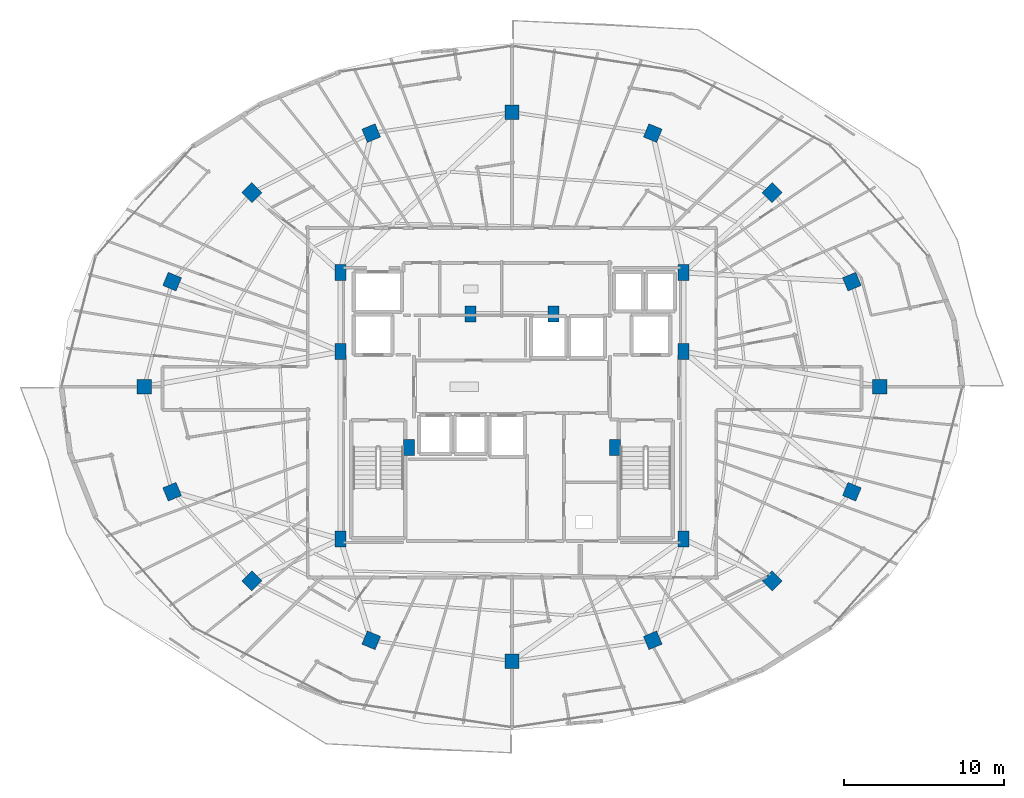
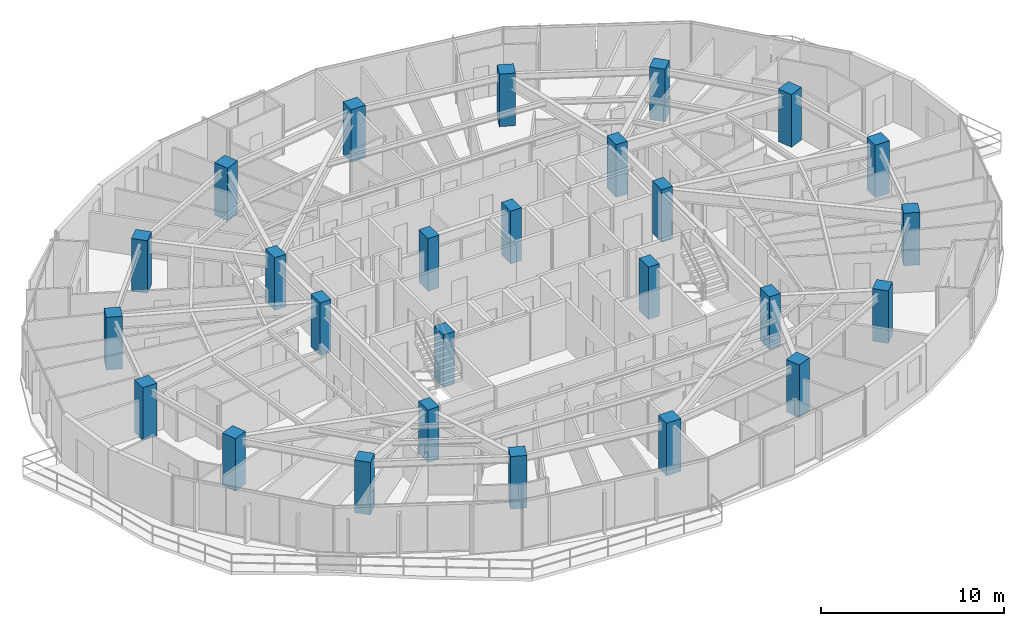
# One storey, part 1 of 34: 26 columns.
"""IFC4 building model written with IfcOpenShell, lengths in metres."""

from ifc_helpers import new_model, si_unit, direction, frame, origin, origin_2d, place, context, subcontext, project, spatial, rectangle, extrude, material, material_profile, profile_set, type_object, element, save


model = new_model("IFC4")

# Units and contexts
model_context = context("Model", 3, precision=1e-05, world=origin(), true_north=direction((0.0, 1.0)))
body_context = subcontext(model_context, "Body", "Model", "MODEL_VIEW")
ifc_project = project(units=[si_unit("LENGTHUNIT", "METRE"), si_unit("AREAUNIT", "SQUARE_METRE"), si_unit("VOLUMEUNIT", "CUBIC_METRE"), si_unit("PLANEANGLEUNIT", "RADIAN"), si_unit("MASSUNIT", "GRAM", prefix="KILO")], contexts=[model_context])

# Site, building, storey
site_placement = place(None, origin())
site = spatial("IfcSite", under=ifc_project, at=site_placement, CompositionType="ELEMENT")
building_placement = place(site_placement, origin())
building = spatial("IfcBuilding", under=site, at=building_placement, Name="Vorneva Point Tower", CompositionType="ELEMENT")
storey_placement = place(building_placement, frame((0.0, 0.0, 182.60009765625)))
storey = spatial("IfcBuildingStorey", under=building, at=storey_placement, Name="L49", CompositionType="ELEMENT", Elevation=182.60009765625)

# Columns
ifc_material = material(Name="Concrete B50 (C40/50)", Category="concrete")
ifc_material_profile_1 = material_profile(ifc_material, rectangle(XDim=0.89990234375, YDim=0.89990234375, at=origin_2d()), Name="RC-COL 900x900")
ifc_profile_set_1 = profile_set([ifc_material_profile_1], Name="Concrete B50 (C40/50)")
column_type_1 = type_object("IfcColumnType", Name="COL-RC900", PredefinedType="COLUMN", material=ifc_profile_set_1)
for number, where, z_axis, x_axis, name in (
    (1, (61.050048828125, 26.0, 0.0), (0.0, 0.0, 1.0), (1.0, 0.0, 0.0), "L49 Perimeter Column P01"),
    (2, (59.29541015625, 32.582275390625, 0.0), (0.0, 0.0, 1.0), (0.923879532511, 0.382683432365, 0.0), "L49 Perimeter Column P02"),
    (3, (54.298828125, 38.162109375, 0.0), (0.0, 0.0, 1.0), (0.707106781187, 0.707106781187, 0.0), "L49 Perimeter Column P03"),
    (4, (46.82080078125, 41.890625, 0.0), (0.0, 0.0, 1.0), (0.382683432365, 0.923879532511, 0.0), "L49 Perimeter Column P04"),
    (5, (38.0, 43.199951171875, 0.0), (0.0, 0.0, 1.0), (0.0, 1.0, 0.0), "L49 Perimeter Column P05"),
    (6, (29.17919921875, 41.890625, 0.0), (0.0, 0.0, 1.0), (-0.382683432365, 0.923879532511, 0.0), "L49 Perimeter Column P06"),
    (7, (21.701171875, 38.162109375, 0.0), (0.0, 0.0, 1.0), (-0.707106781187, 0.707106781187, 0.0), "L49 Perimeter Column P07"),
    (8, (16.70458984375, 32.582275390625, 0.0), (0.0, 0.0, 1.0), (-0.923879532511, 0.382683432365, 0.0), "L49 Perimeter Column P08"),
    (9, (14.949951171875, 26.0, 0.0), (0.0, 0.0, 1.0), (-1.0, 0.0, 0.0), "L49 Perimeter Column P09"),
    (10, (16.70458984375, 19.417724609375, 0.0), (0.0, 0.0, 1.0), (-0.923879532511, -0.382683432365, 0.0), "L49 Perimeter Column P10"),
    (11, (21.701171875, 13.837890625, 0.0), (0.0, 0.0, 1.0), (-0.707106781187, -0.707106781187, 0.0), "L49 Perimeter Column P11"),
    (12, (29.17919921875, 10.109375, 0.0), (0.0, 0.0, 1.0), (-0.382683432365, -0.923879532511, 0.0), "L49 Perimeter Column P12"),
    (13, (38.0, 8.800048828125, 0.0), (0.0, 0.0, 1.0), (0.0, -1.0, 0.0), "L49 Perimeter Column P13"),
    (14, (46.82080078125, 10.109375, 0.0), (0.0, 0.0, 1.0), (0.382683432365, -0.923879532511, 0.0), "L49 Perimeter Column P14"),
    (15, (54.298828125, 13.837890625, 0.0), (0.0, 0.0, 1.0), (0.707106781187, -0.707106781187, 0.0), "L49 Perimeter Column P15"),
    (16, (59.29541015625, 19.417724609375, 0.0), (0.0, 0.0, 1.0), (0.923879532511, -0.382683432365, 0.0), "L49 Perimeter Column P16"),
):
    element("IfcColumn", number, at=place(storey_placement, frame(where, z_axis=z_axis, x_axis=x_axis)), inside=storey, type_object=column_type_1, Name=name, PredefinedType="COLUMN", context=body_context, shape_type="SweptSolid", body=[
        extrude(rectangle(XDim=0.89990234375, YDim=0.89990234375, at=origin_2d()), origin(), (0.0, 0.0, 1.0), 3.5),
    ])
ifc_material_profile_2 = material_profile(ifc_material, rectangle(XDim=0.699951171875, YDim=1.0, at=origin_2d()), Name="RC-PIL 1000x700")
ifc_profile_set_2 = profile_set([ifc_material_profile_2], Name="Concrete B50 (C40/50)")
column_type_2 = type_object("IfcColumnType", Name="PIL-RC1000x700", PredefinedType="PILASTER", material=ifc_profile_set_2)
for number, where, z_axis, x_axis, name in (
    (17, (27.25, 16.449951171875, 0.0), (0.0, 0.0, 1.0), (1.0, 0.0, 0.0), "L49 Core Pilaster CP1"),
    (18, (27.25, 28.199951171875, 0.0), (0.0, 0.0, 1.0), (1.0, 0.0, 0.0), "L49 Core Pilaster CP2"),
    (19, (27.25, 33.14990234375, 0.0), (0.0, 0.0, 1.0), (1.0, 0.0, 0.0), "L49 Core Pilaster CP3"),
    (20, (31.550048828125, 22.199951171875, 0.0), (0.0, 0.0, 1.0), (1.0, 0.0, 0.0), "L49 Core Pilaster CP4"),
    (21, (48.75, 33.14990234375, 0.0), (0.0, 0.0, 1.0), (1.0, 0.0, 0.0), "L49 Core Pilaster CP5"),
    (22, (48.75, 28.199951171875, 0.0), (0.0, 0.0, 1.0), (1.0, 0.0, 0.0), "L49 Core Pilaster CP6"),
    (23, (48.75, 16.449951171875, 0.0), (0.0, 0.0, 1.0), (1.0, 0.0, 0.0), "L49 Core Pilaster CP7"),
    (24, (44.449951171875, 22.199951171875, 0.0), (0.0, 0.0, 1.0), (1.0, 0.0, 0.0), "L49 Core Pilaster CP8"),
    (25, (35.39990234375, 30.550048828125, 0.0), (0.0, 0.0, 1.0), (1.0, 0.0, 0.0), "L49 Core Pilaster CP9"),
    (26, (40.60009765625, 30.550048828125, 0.0), (0.0, 0.0, 1.0), (1.0, 0.0, 0.0), "L49 Core Pilaster CP10"),
):
    element("IfcColumn", number, at=place(storey_placement, frame(where, z_axis=z_axis, x_axis=x_axis)), inside=storey, type_object=column_type_2, Name=name, PredefinedType="PILASTER", context=body_context, shape_type="SweptSolid", body=[
        extrude(rectangle(XDim=0.699951171875, YDim=1.0, at=origin_2d()), origin(), (0.0, 0.0, 1.0), 3.5),
    ])

save(model, "model.ifc")
